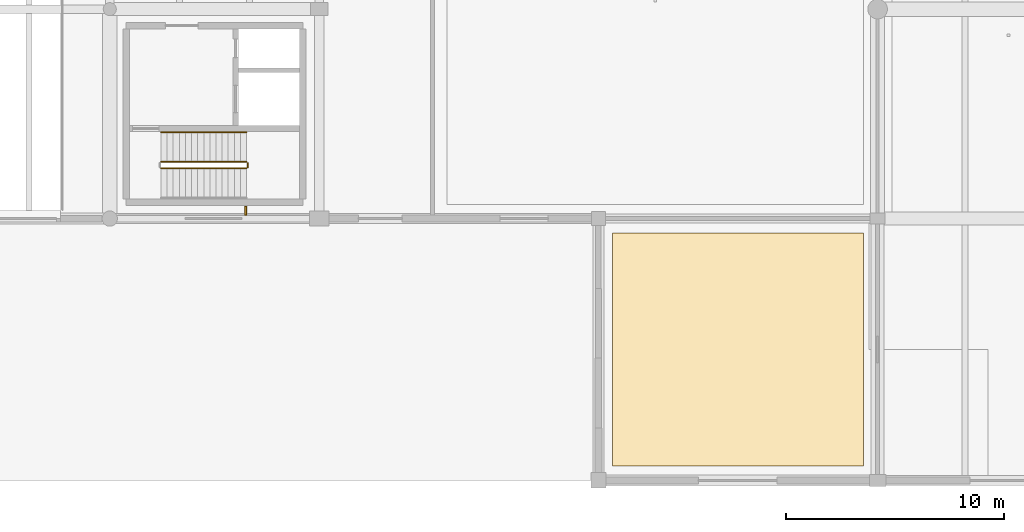
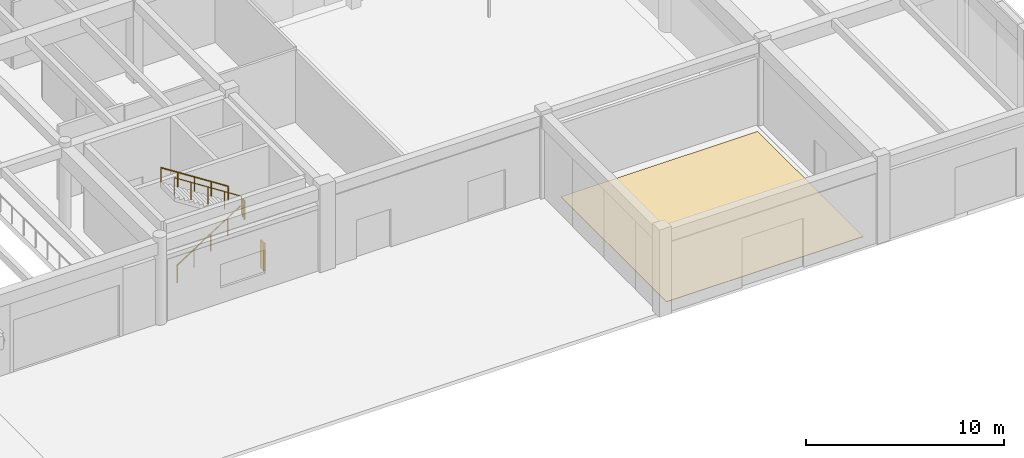
# One storey, part 136 of 138: 4 railings, 1 covering, 1 shading device.
"""IFC4 building model written with IfcOpenShell, lengths in metres."""

from ifc_helpers import new_model, si_unit, direction, frame, origin, origin_2d, place, context, subcontext, project, spatial, polyline, rectangle, circle, outline, extrude, material, layer, layer_set, type_object, element, save


model = new_model("IFC4")

# Units and contexts
model_context = context("Model", 3, precision=1e-05, world=origin(), true_north=direction((0.0, 1.0)))
body_context = subcontext(model_context, "Body", "Model", "MODEL_VIEW")
ifc_project = project(units=[si_unit("LENGTHUNIT", "METRE"), si_unit("AREAUNIT", "SQUARE_METRE"), si_unit("VOLUMEUNIT", "CUBIC_METRE"), si_unit("PLANEANGLEUNIT", "RADIAN"), si_unit("MASSUNIT", "GRAM", prefix="KILO")], contexts=[model_context])

# Site, building, storey
site_placement = place(None, origin())
site = spatial("IfcSite", under=ifc_project, at=site_placement, CompositionType="ELEMENT")
building_placement = place(site_placement, origin())
building = spatial("IfcBuilding", under=site, at=building_placement, Name="Fikremerkos Civic Library", CompositionType="ELEMENT")
storey_placement = place(building_placement, origin())
storey = spatial("IfcBuildingStorey", under=building, at=storey_placement, Name="L00", CompositionType="ELEMENT", Elevation=0.0)

# Railings
ifc_material_1 = material(Name="Painted Steel S275", Category="steel")
railing_type_1 = type_object("IfcRailingType", Name="Interior balustrade guard RLG-INT 1100", PredefinedType="BALUSTRADE", material=ifc_material_1)
railing_1_placement = place(storey_placement, frame((127.14990234375, 14.300048828125, 0.179931640625)))
element("IfcRailing", 1, at=railing_1_placement, inside=storey, type_object=railing_type_1, Name="L00 ST-K4 stair guard 1", PredefinedType="BALUSTRADE", context=body_context, shape_type="SweptSolid", body=[
    extrude(circle(Radius=0.02392578125, at=origin_2d()), frame((0.0, 0.0, 1.076171875), z_axis=(0.841186985886, 0.0, 0.540744352514), x_axis=(0.0, 1.0, 0.0)), (0.0, 0.0, 1.0), 4.660400390625),
    extrude(circle(Radius=0.02099609375, at=origin_2d()), origin(), (0.0, 0.0, 1.0), 1.052001953125),
    extrude(circle(Radius=0.02099609375, at=origin_2d()), frame((0.97998046875, 0.0, 0.6298828125)), (0.0, 0.0, 1.0), 1.052001953125),
    extrude(circle(Radius=0.02099609375, at=origin_2d()), frame((1.9599609375, 0.0, 1.260009765625)), (0.0, 0.0, 1.0), 1.052001953125),
    extrude(circle(Radius=0.02099609375, at=origin_2d()), frame((2.940185546875, 0.0, 1.89013671875)), (0.0, 0.0, 1.0), 1.052001953125),
    extrude(circle(Radius=0.02099609375, at=origin_2d()), frame((3.920166015625, 0.0, 2.52001953125)), (0.0, 0.0, 1.0), 1.052001953125),
])
railing_2_placement = place(storey_placement, frame((131.1201171875, 14.35009765625, 2.699951171875)))
element("IfcRailing", 2, at=railing_2_placement, inside=storey, type_object=railing_type_1, Name="L00 ST-K4 stair guard 2", PredefinedType="BALUSTRADE", context=body_context, shape_type="SweptSolid", body=[
    extrude(circle(Radius=0.02392578125, at=origin_2d()), frame((0.0, 0.0, 1.076171875), z_axis=(0.0, 1.0, 0.0), x_axis=(-1.0, 0.0, 0.0)), (0.0, 0.0, 1.0), 0.199951171875),
    extrude(circle(Radius=0.02099609375, at=origin_2d()), origin(), (0.0, 0.0, 1.0), 1.052001953125),
    extrude(circle(Radius=0.02099609375, at=origin_2d()), frame((0.0, 0.199951171875, 0.0)), (0.0, 0.0, 1.0), 1.052001953125),
])
railing_3_placement = place(storey_placement, frame((131.070068359375, 14.60009765625, 2.8798828125)))
element("IfcRailing", 3, at=railing_3_placement, inside=storey, type_object=railing_type_1, Name="L00 ST-K4 stair guard 3", PredefinedType="BALUSTRADE", context=body_context, shape_type="SweptSolid", body=[
    extrude(circle(Radius=0.02392578125, at=origin_2d()), frame((0.0, 0.0, 1.076171875), z_axis=(-0.841186985886, 0.0, 0.540744352514), x_axis=(0.0, -1.0, 0.0)), (0.0, 0.0, 1.0), 4.660400390625),
    extrude(circle(Radius=0.02099609375, at=origin_2d()), origin(), (0.0, 0.0, 1.0), 1.052001953125),
    extrude(circle(Radius=0.02099609375, at=origin_2d()), frame((-0.97998046875, 0.0, 0.6298828125)), (0.0, 0.0, 1.0), 1.052001953125),
    extrude(circle(Radius=0.02099609375, at=origin_2d()), frame((-1.9599609375, 0.0, 1.260009765625)), (0.0, 0.0, 1.0), 1.052001953125),
    extrude(circle(Radius=0.02099609375, at=origin_2d()), frame((-2.940185546875, 0.0, 1.89013671875)), (0.0, 0.0, 1.0), 1.052001953125),
    extrude(circle(Radius=0.02099609375, at=origin_2d()), frame((-3.920166015625, 0.0, 2.52001953125)), (0.0, 0.0, 1.0), 1.052001953125),
])

# Shading device
ifc_material_2 = material(Name="Bronze anodized aluminium", Category="aluminium")
shading_device_type = type_object("IfcShadingDeviceType", Name="Perforated bronze vertical solar fin SHD-02", PredefinedType="USERDEFINED", material=ifc_material_2)
shading_device_placement = place(storey_placement, frame((131.030029296875, 12.360107421875, 0.8251953125), z_axis=(0.0, 0.0, 1.0), x_axis=(1.0, 0.0, 0.0)))
element("IfcShadingDevice", 4, at=shading_device_placement, inside=storey, type_object=shading_device_type, Name="Vertical bronze solar fin SHD-02 L00 #12", ObjectType="SOLAR FIN", PredefinedType="USERDEFINED", context=body_context, shape_type="SweptSolid", body=[
    extrude(rectangle(XDim=0.080078125, YDim=0.39990234375, at=origin_2d()), origin(), (0.0, 0.0, 1.0), 1.699951171875),
])

# Covering
ifc_material_3 = material(Name="Polished basalt terrazzo", Category="masonry")
ifc_layer = layer(ifc_material_3, 0.030029296875, Name="Polished basalt terrazzo")
ifc_layer_set = layer_set([ifc_layer], Name="Polished basalt terrazzo")
covering_type = type_object("IfcCoveringType", Name="Polished basalt terrazzo flooring FLR-01", PredefinedType="FLOORING", material=ifc_layer_set)
covering_placement = place(storey_placement, origin())
element("IfcCovering", 5, at=covering_placement, inside=storey, type_object=covering_type, Name="Terrazzo floor finish Stage Scenery Receiving Bay", PredefinedType="FLOORING", context=body_context, shape_type="SweptSolid", body=[
    extrude(outline(polyline([(147.85009765625, 11.35009765625), (159.35009765625, 11.35009765625), (159.35009765625, 0.64990234375), (147.85009765625, 0.64990234375), (147.85009765625, 11.35009765625)])), origin(), (0.0, 0.0, 1.0), 0.030029296875),
])

# Railing
ifc_material_4 = material(Name="Brushed stainless steel", Category="steel")
railing_type_2 = type_object("IfcRailingType", Name="Wall and flight handrail HRL-01 900", PredefinedType="HANDRAIL", material=ifc_material_4)
railing_4_placement = place(storey_placement, frame((131.070068359375, 15.949951171875, 2.8798828125)))
element("IfcRailing", 6, at=railing_4_placement, inside=storey, type_object=railing_type_2, Name="L00 ST-K4 stair handrail 2", PredefinedType="HANDRAIL", context=body_context, shape_type="SweptSolid", body=[
    extrude(circle(Radius=0.02392578125, at=origin_2d()), frame((0.0, 0.0, 0.8759765625), z_axis=(-0.841186985886, 0.0, 0.540744352514), x_axis=(0.0, -1.0, 0.0)), (0.0, 0.0, 1.0), 4.660400390625),
    extrude(circle(Radius=0.02099609375, at=origin_2d()), origin(), (0.0, 0.0, 1.0), 0.851806640625),
    extrude(circle(Radius=0.02099609375, at=origin_2d()), frame((-0.97998046875, 0.0, 0.6298828125)), (0.0, 0.0, 1.0), 0.851806640625),
    extrude(circle(Radius=0.02099609375, at=origin_2d()), frame((-1.9599609375, 0.0, 1.260009765625)), (0.0, 0.0, 1.0), 0.851806640625),
    extrude(circle(Radius=0.02099609375, at=origin_2d()), frame((-2.940185546875, 0.0, 1.89013671875)), (0.0, 0.0, 1.0), 0.851806640625),
    extrude(circle(Radius=0.02099609375, at=origin_2d()), frame((-3.920166015625, 0.0, 2.52001953125)), (0.0, 0.0, 1.0), 0.851806640625),
])

save(model, "model.ifc")
